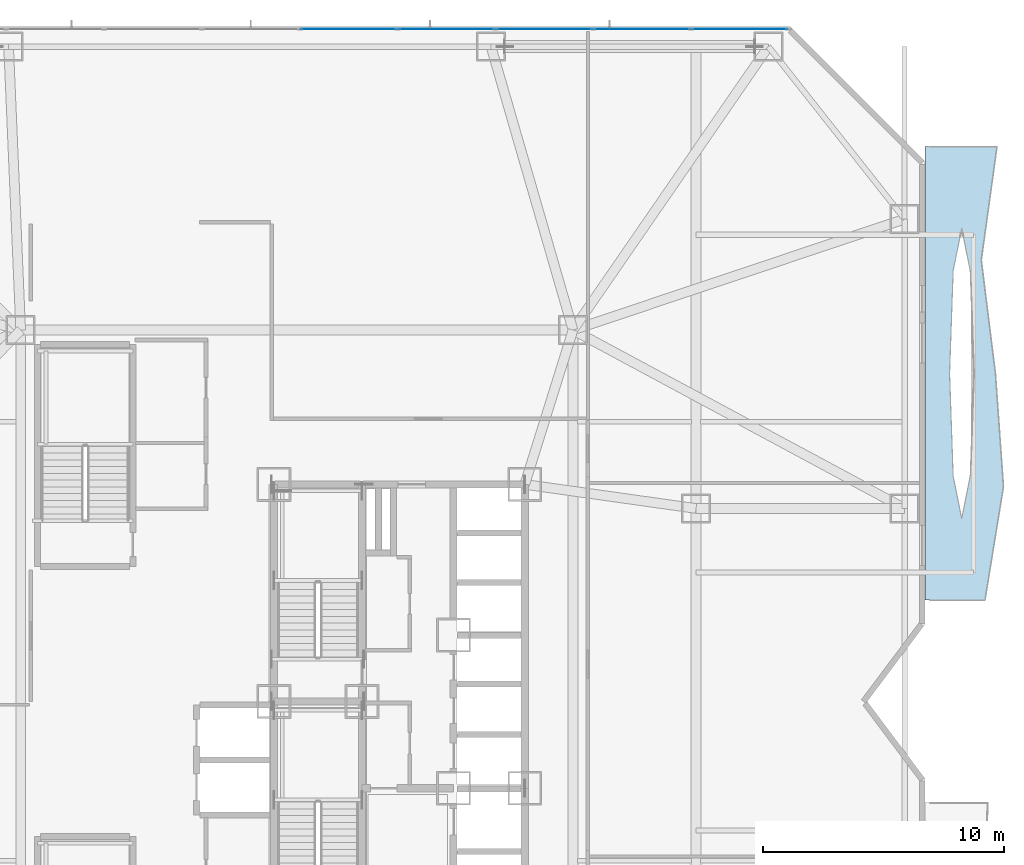
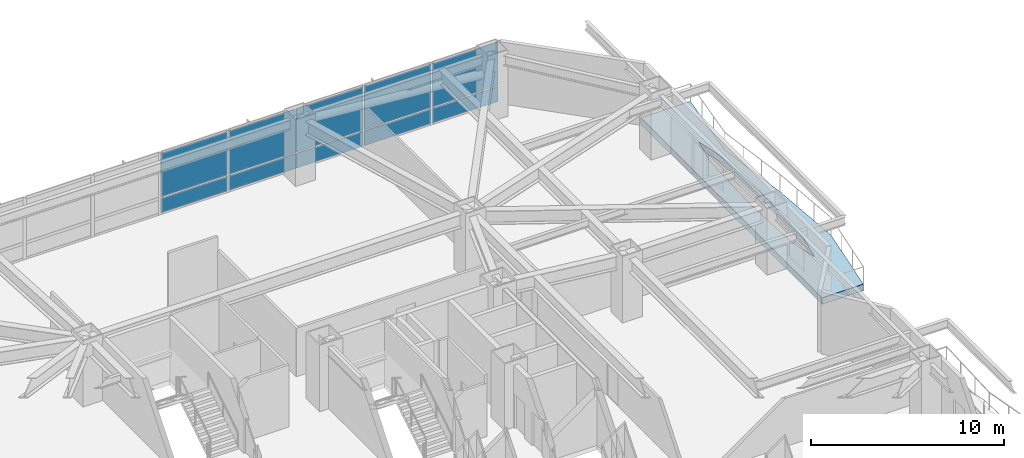
# One storey, part 13 of 25: 10 plates, 1 slab, 1 element without a shape of its own.
"""IFC4 building model written with IfcOpenShell, lengths in metres."""

from ifc_helpers import new_model, si_unit, direction, frame, origin, origin_2d, place, context, subcontext, project, spatial, polyline, rectangle, outline, extrude, material, layer, layer_set, type_object, element, aggregate, save


model = new_model("IFC4")

# Units and contexts
model_context = context("Model", 3, precision=1e-05, world=origin(), true_north=direction((0.0, 1.0)))
body_context = subcontext(model_context, "Body", "Model", "MODEL_VIEW")
ifc_project = project(units=[si_unit("LENGTHUNIT", "METRE"), si_unit("AREAUNIT", "SQUARE_METRE"), si_unit("VOLUMEUNIT", "CUBIC_METRE"), si_unit("PLANEANGLEUNIT", "RADIAN"), si_unit("MASSUNIT", "GRAM", prefix="KILO")], contexts=[model_context])

# Site, building, storey
site_placement = place(None, origin())
site = spatial("IfcSite", under=ifc_project, at=site_placement, CompositionType="ELEMENT")
building_placement = place(site_placement, origin())
building = spatial("IfcBuilding", under=site, at=building_placement, Name="Khamvora Tower", CompositionType="ELEMENT")
storey_placement = place(building_placement, frame((0.0, 0.0, 16.199951171875)))
storey = spatial("IfcBuildingStorey", under=building, at=storey_placement, Name="L03", CompositionType="ELEMENT", Elevation=16.199951171875)

# Curtain wall, plates
ifc_material_1 = material(Name="Anodised Aluminium 6063-T6", Category="aluminium")
curtain_wall_type = type_object("IfcCurtainWallType", Name="CW-SYS-01", PredefinedType="NOTDEFINED", material=ifc_material_1)
curtain_wall_placement = place(storey_placement, origin())
curtain_wall = element("IfcCurtainWall", 1, at=curtain_wall_placement, inside=storey, type_object=curtain_wall_type, Name="L03 stick curtain wall 07.1", PredefinedType="NOTDEFINED")
ifc_material_2 = material(Name="Low-E Laminated Double Glazing", Category="glass")
ifc_layer_1 = layer(ifc_material_2, 0.035888671875)
ifc_layer_set_1 = layer_set([ifc_layer_1], Name="Low-E Laminated Double Glazing")
plate_type = type_object("IfcPlateType", Name="CW-SYS-01-PNL", PredefinedType="CURTAIN_PANEL", material=ifc_layer_set_1)
plate_1_placement = place(storey_placement, frame((32.09521484375, 55.8798828125, 0.074951171875), z_axis=(0.0, 0.0, 1.0), x_axis=(1.0, 0.0, 0.0)))
plate_1 = element("IfcPlate", 2, at=plate_1_placement, type_object=plate_type, Name="CW-01 panel 7.1", PredefinedType="CURTAIN_PANEL", context=body_context, shape_type="SweptSolid", body=[
    extrude(rectangle(XDim=3.981689453125, YDim=0.035888671875, at=origin_2d()), origin(), (0.0, 0.0, 1.0), 0.9375),
])
plate_2_placement = place(storey_placement, frame((32.09521484375, 55.8798828125, 1.08740234375), z_axis=(0.0, 0.0, 1.0), x_axis=(1.0, 0.0, 0.0)))
plate_2 = element("IfcPlate", 3, at=plate_2_placement, type_object=plate_type, Name="CW-01 panel 7.2", PredefinedType="CURTAIN_PANEL", context=body_context, shape_type="SweptSolid", body=[
    extrude(rectangle(XDim=3.981689453125, YDim=0.035888671875, at=origin_2d()), origin(), (0.0, 0.0, 1.0), 2.757568359375),
])
plate_3_placement = place(storey_placement, frame((36.15185546875, 55.8798828125, 0.074951171875), z_axis=(0.0, 0.0, 1.0), x_axis=(1.0, 0.0, 0.0)))
plate_3 = element("IfcPlate", 4, at=plate_3_placement, type_object=plate_type, Name="CW-01 panel 8.1", PredefinedType="CURTAIN_PANEL", context=body_context, shape_type="SweptSolid", body=[
    extrude(rectangle(XDim=3.981689453125, YDim=0.035888671875, at=origin_2d()), origin(), (0.0, 0.0, 1.0), 0.9375),
])
plate_4_placement = place(storey_placement, frame((36.15185546875, 55.8798828125, 1.08740234375), z_axis=(0.0, 0.0, 1.0), x_axis=(1.0, 0.0, 0.0)))
plate_4 = element("IfcPlate", 5, at=plate_4_placement, type_object=plate_type, Name="CW-01 panel 8.2", PredefinedType="CURTAIN_PANEL", context=body_context, shape_type="SweptSolid", body=[
    extrude(rectangle(XDim=3.981689453125, YDim=0.035888671875, at=origin_2d()), origin(), (0.0, 0.0, 1.0), 2.757568359375),
])
plate_5_placement = place(storey_placement, frame((40.20849609375, 55.8798828125, 0.074951171875), z_axis=(0.0, 0.0, 1.0), x_axis=(1.0, 0.0, 0.0)))
plate_5 = element("IfcPlate", 6, at=plate_5_placement, type_object=plate_type, Name="CW-01 panel 9.1", PredefinedType="CURTAIN_PANEL", context=body_context, shape_type="SweptSolid", body=[
    extrude(rectangle(XDim=3.981689453125, YDim=0.035888671875, at=origin_2d()), origin(), (0.0, 0.0, 1.0), 0.9375),
])
plate_6_placement = place(storey_placement, frame((40.20849609375, 55.8798828125, 1.08740234375), z_axis=(0.0, 0.0, 1.0), x_axis=(1.0, 0.0, 0.0)))
plate_6 = element("IfcPlate", 7, at=plate_6_placement, type_object=plate_type, Name="CW-01 panel 9.2", PredefinedType="CURTAIN_PANEL", context=body_context, shape_type="SweptSolid", body=[
    extrude(rectangle(XDim=3.981689453125, YDim=0.035888671875, at=origin_2d()), origin(), (0.0, 0.0, 1.0), 2.757568359375),
])
plate_7_placement = place(storey_placement, frame((44.26513671875, 55.8798828125, 0.074951171875), z_axis=(0.0, 0.0, 1.0), x_axis=(1.0, 0.0, 0.0)))
plate_7 = element("IfcPlate", 8, at=plate_7_placement, type_object=plate_type, Name="CW-01 panel 10.1", PredefinedType="CURTAIN_PANEL", context=body_context, shape_type="SweptSolid", body=[
    extrude(rectangle(XDim=3.981689453125, YDim=0.035888671875, at=origin_2d()), origin(), (0.0, 0.0, 1.0), 0.9375),
])
plate_8_placement = place(storey_placement, frame((44.26513671875, 55.8798828125, 1.08740234375), z_axis=(0.0, 0.0, 1.0), x_axis=(1.0, 0.0, 0.0)))
plate_8 = element("IfcPlate", 9, at=plate_8_placement, type_object=plate_type, Name="CW-01 panel 10.2", PredefinedType="CURTAIN_PANEL", context=body_context, shape_type="SweptSolid", body=[
    extrude(rectangle(XDim=3.981689453125, YDim=0.035888671875, at=origin_2d()), origin(), (0.0, 0.0, 1.0), 2.757568359375),
])
plate_9_placement = place(storey_placement, frame((48.302978515625, 55.8798828125, 0.074951171875), z_axis=(0.0, 0.0, 1.0), x_axis=(1.0, 0.0, 0.0)))
plate_9 = element("IfcPlate", 10, at=plate_9_placement, type_object=plate_type, Name="CW-01 panel 11.1", PredefinedType="CURTAIN_PANEL", context=body_context, shape_type="SweptSolid", body=[
    extrude(rectangle(XDim=3.944091796875, YDim=0.035888671875, at=origin_2d()), origin(), (0.0, 0.0, 1.0), 0.9375),
])
plate_10_placement = place(storey_placement, frame((48.302978515625, 55.8798828125, 1.08740234375), z_axis=(0.0, 0.0, 1.0), x_axis=(1.0, 0.0, 0.0)))
plate_10 = element("IfcPlate", 11, at=plate_10_placement, type_object=plate_type, Name="CW-01 panel 11.2", PredefinedType="CURTAIN_PANEL", context=body_context, shape_type="SweptSolid", body=[
    extrude(rectangle(XDim=3.944091796875, YDim=0.035888671875, at=origin_2d()), origin(), (0.0, 0.0, 1.0), 2.757568359375),
])
aggregate(curtain_wall, [plate_1, plate_2, plate_3, plate_4, plate_5, plate_6, plate_7, plate_8, plate_9, plate_10])

# Slab
ifc_material_3 = material(Name="Concrete C40/50", Category="concrete")
ifc_layer_2 = layer(ifc_material_3, 0.419921875)
ifc_layer_set_2 = layer_set([ifc_layer_2], Name="Concrete C40/50")
slab_type = type_object("IfcSlabType", Name="SLB-GRD-420", PredefinedType="FLOOR", material=ifc_layer_set_2)
slab_placement = place(storey_placement, frame((0.0, 0.0, -0.419921875)))
element("IfcSlab", 12, at=slab_placement, inside=storey, type_object=slab_type, Name="L03 external lens gallery slab EL2", PredefinedType="FLOOR", context=body_context, shape_type="SweptSolid", body=[
    extrude(outline(polyline([(58.47802734375, 32.199951171875), (59.2451171875, 36.89990234375), (58.912109375, 41.60009765625), (58.325927734375, 46.300048828125), (58.97705078125, 51.0), (56.0, 51.0), (56.0, 32.199951171875), (58.47802734375, 32.199951171875)]), holes=[polyline([(58.01904296875, 41.60009765625), (57.87109375, 45.85400390625), (57.514892578125, 47.615966796875), (57.158935546875, 45.85400390625), (57.010986328125, 41.60009765625), (57.158935546875, 37.345947265625), (57.514892578125, 35.583984375), (57.87109375, 37.345947265625), (58.01904296875, 41.60009765625)])]), origin(), (0.0, 0.0, 1.0), 0.419921875),
])

save(model, "model.ifc")
